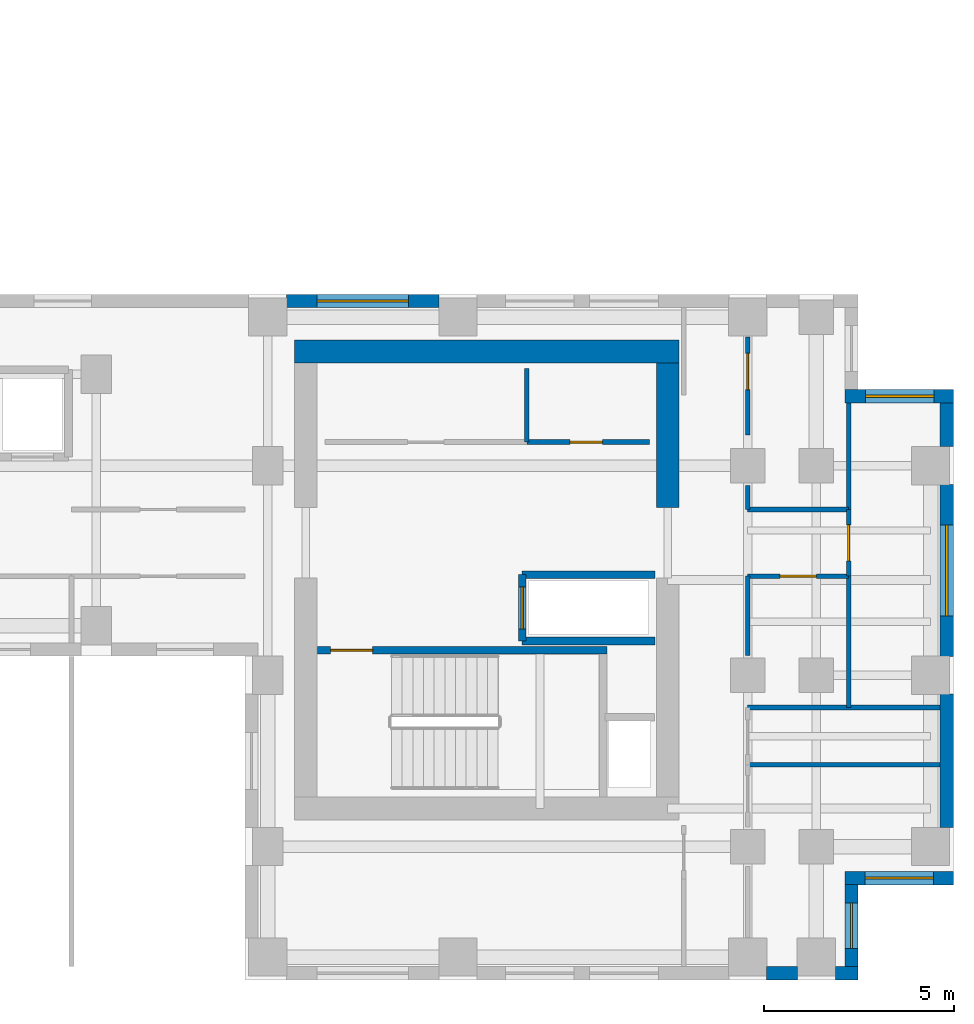
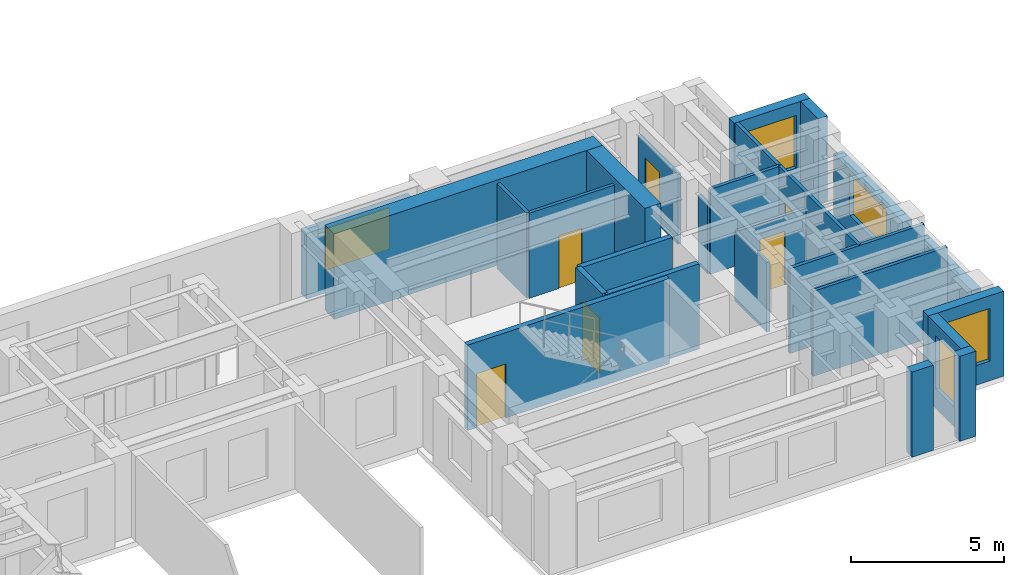
# One storey, part 7 of 11: 27 walls, 6 doors, 5 windows, 11 openings.
"""IFC4 building model written with IfcOpenShell, lengths in metres."""

import ifcopenshell
import ifcopenshell.guid

model = None  # the IFC model being written
_history = None  # IfcOwnerHistory: only IFC2X3 demands one
_inside = {}  # id of a spatial element -> (the spatial element, [elements in it])
_under = {}  # id of a project, library or spatial element -> (it, [spatial elements below it])
_declared = {}  # id of a project -> (the project, [libraries it declares])
_typed = {}  # id of a type object -> (the type object, [elements of that type])
_made_of = {}  # id of a material, layer set ... -> (it, [elements and type objects made of it])


def new_model(schema):
    """Start an empty IFC model of exactly this schema.

    Asked for "IFC4X3", IfcOpenShell would pick the latest addendum, in which some entities
    have other attributes; the version numbers below select the first issue.
    IFC2X3 requires an IfcOwnerHistory on every rooted entity: one is made here for all.
    """
    global model, _history
    if schema == "IFC4X3":
        model = ifcopenshell.file(schema_version=(4, 3, 0, 0))
    else:
        model = ifcopenshell.file(schema=schema)
    _inside.clear()
    _under.clear()
    _declared.clear()
    _typed.clear()
    _made_of.clear()
    _history = None
    if model.schema == "IFC2X3":
        org = make("IfcOrganization", Name="unknown")
        user = make(
            "IfcPersonAndOrganization",
            ThePerson=make("IfcPerson", FamilyName="unknown"),
            TheOrganization=org,
        )
        app = make(
            "IfcApplication",
            ApplicationDeveloper=org,
            Version="unknown",
            ApplicationFullName="unknown",
            ApplicationIdentifier="unknown",
        )
        _history = make(
            "IfcOwnerHistory",
            OwningUser=user,
            OwningApplication=app,
            ChangeAction="ADDED",
            CreationDate=0,
        )
    return model


def make(cls, **values):
    """One entity of the class cls with the attributes given. An attribute that is None is left unset."""
    return model.create_entity(
        cls, **{name: value for name, value in values.items() if value is not None}
    )


def rooted(cls, **values):
    """An entity with a GlobalId (a new one), such as an element, a storey or a relation."""
    return make(cls, GlobalId=ifcopenshell.guid.new(), OwnerHistory=_history, **values)


def si_unit(unit_type, name, prefix=None):
    """IfcSIUnit, for example si_unit("LENGTHUNIT", "METRE", prefix="MILLI")."""
    return make("IfcSIUnit", UnitType=unit_type, Prefix=prefix, Name=name)


def assignment(units):
    """IfcUnitAssignment: the units of a project."""
    return None if units is None else make("IfcUnitAssignment", Units=units)


def point(xyz):
    """IfcCartesianPoint."""
    return None if xyz is None else make("IfcCartesianPoint", Coordinates=xyz)


def direction(xyz):
    """IfcDirection."""
    return None if xyz is None else make("IfcDirection", DirectionRatios=xyz)


def frame(location, z_axis=None, x_axis=None):
    """IfcAxis2Placement3D, a coordinate frame: its origin and axes. An axis left out is left unset."""
    return make(
        "IfcAxis2Placement3D",
        Location=point(location),
        Axis=direction(z_axis),
        RefDirection=direction(x_axis),
    )


def frame_2d(location, x_axis=None):
    """IfcAxis2Placement2D, a coordinate frame in the plane: its origin and x axis."""
    return make(
        "IfcAxis2Placement2D", Location=point(location), RefDirection=direction(x_axis)
    )


def origin():
    """The frame at (0, 0, 0) with its axes left unset."""
    return frame((0.0, 0.0, 0.0))


def place(relative_to, where):
    """IfcLocalPlacement: puts the frame where relative to a parent placement (None: the world)."""
    return make(
        "IfcLocalPlacement", PlacementRelTo=relative_to, RelativePlacement=where
    )


def context(
    kind, dimensions, precision=None, world=None, true_north=None, identifier=None
):
    """IfcGeometricRepresentationContext, for example the 3D "Model" context."""
    return make(
        "IfcGeometricRepresentationContext",
        ContextIdentifier=identifier,
        ContextType=kind,
        CoordinateSpaceDimension=dimensions,
        Precision=precision,
        WorldCoordinateSystem=world,
        TrueNorth=true_north,
    )


def subcontext(parent, identifier, kind, view, scale=None):
    """IfcGeometricRepresentationSubContext, for example "Body" below "Model"."""
    return make(
        "IfcGeometricRepresentationSubContext",
        ContextIdentifier=identifier,
        ContextType=kind,
        ParentContext=parent,
        TargetScale=scale,
        TargetView=view,
    )


def project(units=None, contexts=None):
    """IfcProject with its units and contexts."""
    return rooted(
        "IfcProject",
        Name="project",
        RepresentationContexts=contexts,
        UnitsInContext=assignment(units),
    )


def spatial(cls, under=None, at=None, **own):
    """A site, building, storey or space (cls), placed at a placement, below another one or the project."""
    s = rooted(cls, ObjectPlacement=at, **own)
    if under is not None:
        _under.setdefault(under.id(), (under, []))[1].append(s)
    return s


def profile(cls, at=None, kind="AREA", **sizes):
    """A parametric profile (cls). Its sizes go by their IFC names, for example OverallWidth=200.0."""
    return make(cls, ProfileType=kind, Position=at, **sizes)


def rectangle(**sizes):
    """IfcRectangleProfileDef."""
    return profile("IfcRectangleProfileDef", **sizes)


def extrude(swept, where, along, depth):
    """IfcExtrudedAreaSolid: the profile swept, set in the frame where, extruded along a direction by depth."""
    return make(
        "IfcExtrudedAreaSolid",
        SweptArea=swept,
        Position=where,
        ExtrudedDirection=direction(along),
        Depth=depth,
    )


def shape(context_of_items, identifier, shape_type, items):
    """IfcShapeRepresentation: the items that make up one representation, for example the "Body"."""
    return make(
        "IfcShapeRepresentation",
        ContextOfItems=context_of_items,
        RepresentationIdentifier=identifier,
        RepresentationType=shape_type,
        Items=items,
    )


def source(mapping_origin, context_of_items, identifier, shape_type, items):
    """IfcRepresentationMap: a shape defined once, which mapped items show again and again."""
    return make(
        "IfcRepresentationMap",
        MappingOrigin=mapping_origin,
        MappedRepresentation=shape(context_of_items, identifier, shape_type, items),
    )


def transform(
    local_origin,
    x_axis=None,
    y_axis=None,
    z_axis=None,
    scale=None,
    scale2=None,
    scale3=None,
    uniform=True,
):
    """IfcCartesianTransformationOperator3D, or its non-uniform kind. x_axis, y_axis, z_axis: its Axis1, 2, 3."""
    if uniform:
        return make(
            "IfcCartesianTransformationOperator3D",
            Axis1=direction(x_axis),
            Axis2=direction(y_axis),
            LocalOrigin=point(local_origin),
            Scale=scale,
            Axis3=direction(z_axis),
        )
    return make(
        "IfcCartesianTransformationOperator3DnonUniform",
        Axis1=direction(x_axis),
        Axis2=direction(y_axis),
        LocalOrigin=point(local_origin),
        Scale=scale,
        Axis3=direction(z_axis),
        Scale2=scale2,
        Scale3=scale3,
    )


def mapped(mapping_source, mapping_target):
    """IfcMappedItem: shows the shape of a source again, moved by a transform."""
    return make(
        "IfcMappedItem", MappingSource=mapping_source, MappingTarget=mapping_target
    )


def material(Name=None, Category=None):
    """IfcMaterial."""
    return make("IfcMaterial", Name=Name, Category=Category)


def layer(
    of_material, thickness, ventilated=None, Name=None, Category=None, Priority=None
):
    """IfcMaterialLayer: one layer of a wall or slab, of a material (None: an air gap)."""
    return make(
        "IfcMaterialLayer",
        Material=of_material,
        LayerThickness=thickness,
        IsVentilated=ventilated,
        Name=Name,
        Category=Category,
        Priority=Priority,
    )


def layer_set(layers, Name=None):
    """IfcMaterialLayerSet."""
    return make("IfcMaterialLayerSet", MaterialLayers=layers, LayerSetName=Name)


def made_of(thing, what):
    """Note that an element or type object is made of a material, layer set ...; save() writes the relation."""
    if what is not None:
        _made_of.setdefault(what.id(), (what, []))[1].append(thing)
    return thing


def type_object(cls, material=None, **own):
    """A type object (cls), such as IfcWallType, which elements share."""
    return made_of(rooted(cls, **own), material)


def element(
    cls,
    number,
    at=None,
    inside=None,
    cuts=None,
    type_object=None,
    material=None,
    context=None,
    identifier="Body",
    shape_type=None,
    held_by="IfcProductDefinitionShape",
    body=None,
    shapes=None,
    **own,
):
    """One element of the class cls, such as IfcWall. Its Tag is "e" and its number.

    at: its placement. inside: the storey or other place that contains it. cuts: it is an
    opening in that element (IfcRelVoidsElement). A single representation is given by context,
    identifier, shape_type and body (its items); several are given by shapes. held_by: the class
    of the entity that holds the representations. save() writes the other relations.
    """
    e = rooted(cls, Tag="e%d" % number, ObjectPlacement=at, **own)
    if body is not None:
        shapes = [shape(context, identifier, shape_type, body)]
    if shapes is not None:
        e.Representation = make(held_by, Representations=shapes)
    if inside is not None:
        _inside.setdefault(inside.id(), (inside, []))[1].append(e)
    if cuts is not None:
        rooted(
            "IfcRelVoidsElement", RelatingBuildingElement=cuts, RelatedOpeningElement=e
        )
    if type_object is not None:
        _typed.setdefault(type_object.id(), (type_object, []))[1].append(e)
    return made_of(e, material)


def fill(opening, filler):
    """IfcRelFillsElement: the door or window that sits in an opening."""
    return rooted(
        "IfcRelFillsElement",
        RelatingOpeningElement=opening,
        RelatedBuildingElement=filler,
    )


def aggregate(whole, parts):
    """IfcRelAggregates: a whole, such as a stair, and the parts it consists of."""
    return rooted("IfcRelAggregates", RelatingObject=whole, RelatedObjects=parts)


def save(model, path):
    """Write the relations noted so far, then the file.

    IfcRelAggregates (storeys below a building ...), IfcRelContainedInSpatialStructure (elements
    in a storey), IfcRelDefinesByType, IfcRelAssociatesMaterial and IfcRelDeclares: one each for
    every whole, place, type object, material and project.
    """
    for whole, parts in _under.values():
        aggregate(whole, parts)
    for where, things in _inside.values():
        rooted(
            "IfcRelContainedInSpatialStructure",
            RelatedElements=things,
            RelatingStructure=where,
        )
    for kind, things in _typed.values():
        rooted("IfcRelDefinesByType", RelatedObjects=things, RelatingType=kind)
    for what, things in _made_of.values():
        rooted("IfcRelAssociatesMaterial", RelatedObjects=things, RelatingMaterial=what)
    for by, libraries in _declared.values():
        rooted("IfcRelDeclares", RelatingContext=by, RelatedDefinitions=libraries)
    model.write(path)


model = new_model("IFC4")

# Units and contexts
model_context = context("Model", 3, precision=1e-05, world=origin(), true_north=direction((0.0, 1.0)))
body_context = subcontext(model_context, "Body", "Model", "MODEL_VIEW")
ifc_project = project(units=[si_unit("LENGTHUNIT", "METRE"), si_unit("AREAUNIT", "SQUARE_METRE"), si_unit("VOLUMEUNIT", "CUBIC_METRE"), si_unit("PLANEANGLEUNIT", "RADIAN"), si_unit("MASSUNIT", "GRAM", prefix="KILO")], contexts=[model_context])

# Site, building, storey
site_placement = place(None, origin())
site = spatial("IfcSite", under=ifc_project, at=site_placement, CompositionType="ELEMENT")
building_placement = place(site_placement, origin())
building = spatial("IfcBuilding", under=site, at=building_placement, Name="Kharzan Plaza Tower", CompositionType="ELEMENT")
storey_placement = place(building_placement, frame((0.0, 0.0, 186.300048828125)))
storey = spatial("IfcBuildingStorey", under=building, at=storey_placement, Name="L50", CompositionType="ELEMENT", Elevation=186.300048828125)

# Wall, opening, window
ifc_material_1 = material(Name="Concrete C40/50", Category="concrete")
ifc_layer_1 = layer(ifc_material_1, 0.35009765625)
ifc_layer_set_1 = layer_set([ifc_layer_1], Name="Concrete C40/50")
wall_type_1 = type_object("IfcWallType", Name="WL-EXT-MAS-Z3", PredefinedType="SOLIDWALL", material=ifc_layer_set_1)
wall_1_placement = place(storey_placement, frame((50.324951171875, 0.347900390625, 0.0), z_axis=(0.0, 0.0, 1.0), x_axis=(0.0, 1.0, 0.0)))
wall_1 = element("IfcWall", 1, at=wall_1_placement, inside=storey, type_object=wall_type_1, Name="L50 Masonry-Frame Exterior Wall 35", PredefinedType="SOLIDWALL", context=body_context, shape_type="SweptSolid", body=[
    extrude(rectangle(XDim=2.154052734375, YDim=0.35009765625, at=frame_2d((1.0771484375, 0.0))), origin(), (0.0, 0.0, 1.0), 3.385009765625),
])
opening_1_placement = place(wall_1_placement, frame((0.47705078125, 0.0, 0.780029296875)))
opening_1 = element("IfcOpeningElement", 2, at=opening_1_placement, cuts=wall_1, Name="Opening W3", PredefinedType="OPENING", context=body_context, shape_type="SweptSolid", body=[
    extrude(rectangle(XDim=1.199951171875, YDim=2.10009765625, at=frame_2d((0.60009765625, 1.050048828125))), frame((0.0, 0.18505859375, 0.0), z_axis=(0.0, -1.0, 0.0), x_axis=(1.0, 0.0, 0.0)), (0.0, 0.0, 1.0), 0.3701171875),
])
ifc_material_2 = material(Name="Low-E Double Glazing", Category="glass")
window_type_1 = type_object("IfcWindowType", Name="WN-REC-1200x2100", PartitioningType="SINGLE_PANEL", PredefinedType="WINDOW", material=ifc_material_2)
shared_shape_1 = source(origin(), body_context, "Body", "SweptSolid", [
    extrude(rectangle(XDim=1.199951171875, YDim=2.10009765625, at=frame_2d((0.60009765625, 1.050048828125))), frame((0.0, 0.030029296875, 0.0), z_axis=(0.0, -1.0, 0.0), x_axis=(1.0, 0.0, 0.0)), (0.0, 0.0, 1.0), 0.06005859375),
])
window_1_placement = place(opening_1_placement, origin())
window_1 = element("IfcWindow", 3, at=window_1_placement, inside=storey, type_object=window_type_1, Name="L50 Recessed Solar-Control Window 35-1", OverallHeight=2.10009765625, OverallWidth=1.199951171875, PartitioningType="SINGLE_PANEL", PredefinedType="WINDOW", context=body_context, shape_type="MappedRepresentation", body=[
    mapped(shared_shape_1, transform((0.0, 0.0, 0.0), x_axis=(1.0, 0.0, 0.0), y_axis=(0.0, 1.0, 0.0), z_axis=(0.0, 0.0, 1.0))),
])
fill(opening_1, window_1)

wall_2_placement = place(storey_placement, frame((50.14990234375, 2.675048828125, 0.0), z_axis=(0.0, 0.0, 1.0), x_axis=(1.0, 0.0, 0.0)))
wall_2 = element("IfcWall", 4, at=wall_2_placement, inside=storey, type_object=wall_type_1, Name="L50 Masonry-Frame Exterior Wall 36", PredefinedType="SOLIDWALL", context=body_context, shape_type="SweptSolid", body=[
    extrude(rectangle(XDim=2.85009765625, YDim=0.35009765625, at=frame_2d((1.425048828125, 0.0))), origin(), (0.0, 0.0, 1.0), 3.385009765625),
])
opening_2_placement = place(wall_2_placement, frame((0.52490234375, 0.0, 0.780029296875)))
opening_2 = element("IfcOpeningElement", 5, at=opening_2_placement, cuts=wall_2, Name="Opening W1", PredefinedType="OPENING", context=body_context, shape_type="SweptSolid", body=[
    extrude(rectangle(XDim=1.800048828125, YDim=2.10009765625, at=frame_2d((0.89990234375, 1.050048828125))), frame((0.0, 0.18505859375, 0.0), z_axis=(0.0, -1.0, 0.0), x_axis=(1.0, 0.0, 0.0)), (0.0, 0.0, 1.0), 0.3701171875),
])
window_type_2 = type_object("IfcWindowType", Name="WN-REC-1800x2100", PartitioningType="SINGLE_PANEL", PredefinedType="WINDOW", material=ifc_material_2)
shared_shape_2 = source(origin(), body_context, "Body", "SweptSolid", [
    extrude(rectangle(XDim=1.800048828125, YDim=2.10009765625, at=frame_2d((0.89990234375, 1.050048828125))), frame((0.0, 0.030029296875, 0.0), z_axis=(0.0, -1.0, 0.0), x_axis=(1.0, 0.0, 0.0)), (0.0, 0.0, 1.0), 0.06005859375),
])
window_2_placement = place(opening_2_placement, origin())
window_2 = element("IfcWindow", 6, at=window_2_placement, inside=storey, type_object=window_type_2, Name="L50 Recessed Solar-Control Window 36-1", OverallHeight=2.10009765625, OverallWidth=1.800048828125, PartitioningType="SINGLE_PANEL", PredefinedType="WINDOW", context=body_context, shape_type="MappedRepresentation", body=[
    mapped(shared_shape_2, transform((0.0, 0.0, 0.0), x_axis=(1.0, 0.0, 0.0), y_axis=(0.0, 1.0, 0.0), z_axis=(0.0, 0.0, 1.0))),
])
fill(opening_2, window_2)

wall_3_placement = place(storey_placement, frame((52.824951171875, 8.498046875, 0.0), z_axis=(0.0, 0.0, 1.0), x_axis=(0.0, 1.0, 0.0)))
wall_3 = element("IfcWall", 7, at=wall_3_placement, inside=storey, type_object=wall_type_1, Name="L50 Masonry-Frame Exterior Wall 38", PredefinedType="SOLIDWALL", context=body_context, shape_type="SweptSolid", body=[
    extrude(rectangle(XDim=4.50390625, YDim=0.35009765625, at=frame_2d((2.251953125, 0.0))), origin(), (0.0, 0.0, 1.0), 2.612060546875),
])
opening_3_placement = place(wall_3_placement, frame((1.052001953125, 0.0, 0.780029296875)))
opening_3 = element("IfcOpeningElement", 8, at=opening_3_placement, cuts=wall_3, Name="Opening W2", PredefinedType="OPENING", context=body_context, shape_type="SweptSolid", body=[
    extrude(rectangle(XDim=2.39990234375, YDim=1.652099609375, at=frame_2d((1.199951171875, 0.826171875))), frame((0.0, 0.18505859375, 0.0), z_axis=(0.0, -1.0, 0.0), x_axis=(1.0, 0.0, 0.0)), (0.0, 0.0, 1.0), 0.3701171875),
])
window_type_3 = type_object("IfcWindowType", Name="WN-REC-2400x2100", PartitioningType="SINGLE_PANEL", PredefinedType="WINDOW", material=ifc_material_2)
shared_shape_3 = source(origin(), body_context, "Body", "SweptSolid", [
    extrude(rectangle(XDim=2.39990234375, YDim=1.652099609375, at=frame_2d((1.199951171875, 0.826171875))), frame((0.0, 0.030029296875, 0.0), z_axis=(0.0, -1.0, 0.0), x_axis=(1.0, 0.0, 0.0)), (0.0, 0.0, 1.0), 0.06005859375),
])
window_3_placement = place(opening_3_placement, origin())
window_3 = element("IfcWindow", 9, at=window_3_placement, inside=storey, type_object=window_type_3, Name="L50 Wide Recessed Solar-Control Window 38-1", OverallHeight=1.652099609375, OverallWidth=2.39990234375, PartitioningType="SINGLE_PANEL", PredefinedType="WINDOW", context=body_context, shape_type="MappedRepresentation", body=[
    mapped(shared_shape_3, transform((0.0, 0.0, 0.0), x_axis=(1.0, 0.0, 0.0), y_axis=(0.0, 1.0, 0.0), z_axis=(0.0, 0.0, 1.0))),
])
fill(opening_3, window_3)

wall_4_placement = place(storey_placement, frame((53.0, 15.324951171875, 0.0), z_axis=(0.0, 0.0, 1.0), x_axis=(-1.0, 0.0, 0.0)))
wall_4 = element("IfcWall", 10, at=wall_4_placement, inside=storey, type_object=wall_type_1, Name="L50 Masonry-Frame Exterior Wall 40", PredefinedType="SOLIDWALL", context=body_context, shape_type="SweptSolid", body=[
    extrude(rectangle(XDim=2.85009765625, YDim=0.35009765625, at=frame_2d((1.425048828125, 0.0))), origin(), (0.0, 0.0, 1.0), 3.385009765625),
])
opening_4_placement = place(wall_4_placement, frame((0.510009765625, 0.0, 0.780029296875)))
opening_4 = element("IfcOpeningElement", 11, at=opening_4_placement, cuts=wall_4, Name="Opening W1", PredefinedType="OPENING", context=body_context, shape_type="SweptSolid", body=[
    extrude(rectangle(XDim=1.800048828125, YDim=2.10009765625, at=frame_2d((0.89990234375, 1.050048828125))), frame((0.0, 0.18505859375, 0.0), z_axis=(0.0, -1.0, 0.0), x_axis=(1.0, 0.0, 0.0)), (0.0, 0.0, 1.0), 0.3701171875),
])
window_4_placement = place(opening_4_placement, origin())
window_4 = element("IfcWindow", 12, at=window_4_placement, inside=storey, type_object=window_type_2, Name="L50 Recessed Solar-Control Window 40-1", OverallHeight=2.10009765625, OverallWidth=1.800048828125, PartitioningType="SINGLE_PANEL", PredefinedType="WINDOW", context=body_context, shape_type="MappedRepresentation", body=[
    mapped(shared_shape_2, transform((0.0, 0.0, 0.0), x_axis=(1.0, 0.0, 0.0), y_axis=(0.0, 1.0, 0.0), z_axis=(0.0, 0.0, 1.0))),
])
fill(opening_4, window_4)

wall_5_placement = place(storey_placement, frame((39.501953125, 17.824951171875, 0.0), z_axis=(0.0, 0.0, 1.0), x_axis=(-1.0, 0.0, 0.0)))
wall_5 = element("IfcWall", 13, at=wall_5_placement, inside=storey, type_object=wall_type_1, Name="L50 Masonry-Frame Exterior Wall 45", PredefinedType="SOLIDWALL", context=body_context, shape_type="SweptSolid", body=[
    extrude(rectangle(XDim=4.00390625, YDim=0.35009765625, at=frame_2d((2.001953125, 0.0))), origin(), (0.0, 0.0, 1.0), 2.612060546875),
])
opening_5_placement = place(wall_5_placement, frame((0.802001953125, 0.0, 0.780029296875)))
opening_5 = element("IfcOpeningElement", 14, at=opening_5_placement, cuts=wall_5, Name="Opening W2", PredefinedType="OPENING", context=body_context, shape_type="SweptSolid", body=[
    extrude(rectangle(XDim=2.39990234375, YDim=1.652099609375, at=frame_2d((1.199951171875, 0.826171875))), frame((0.0, 0.18505859375, 0.0), z_axis=(0.0, -1.0, 0.0), x_axis=(1.0, 0.0, 0.0)), (0.0, 0.0, 1.0), 0.3701171875),
])
window_5_placement = place(opening_5_placement, origin())
window_5 = element("IfcWindow", 15, at=window_5_placement, inside=storey, type_object=window_type_3, Name="L50 Wide Recessed Solar-Control Window 45-1", OverallHeight=1.652099609375, OverallWidth=2.39990234375, PartitioningType="SINGLE_PANEL", PredefinedType="WINDOW", context=body_context, shape_type="MappedRepresentation", body=[
    mapped(shared_shape_3, transform((0.0, 0.0, 0.0), x_axis=(1.0, 0.0, 0.0), y_axis=(0.0, 1.0, 0.0), z_axis=(0.0, 0.0, 1.0))),
])
fill(opening_5, window_5)

# Wall, opening, door
ifc_material_3 = material(Name="Fire-Rated Gypsum Board Partition", Category="gypsum")
ifc_layer_2 = layer(ifc_material_3, 0.125)
ifc_layer_set_2 = layer_set([ifc_layer_2], Name="Fire-Rated Gypsum Board Partition")
wall_type_2 = type_object("IfcWallType", Name="WL-INT-PART-125", PredefinedType="PARTITIONING", material=ifc_layer_set_2)
wall_6_placement = place(storey_placement, frame((41.800048828125, 14.1201171875, 0.0), z_axis=(0.0, 0.0, 1.0), x_axis=(1.0, 0.0, 0.0)))
wall_6 = element("IfcWall", 16, at=wall_6_placement, inside=storey, type_object=wall_type_2, Name="L50 Interior Partition CB-RBLSB", PredefinedType="PARTITIONING", context=body_context, shape_type="SweptSolid", body=[
    extrude(rectangle(XDim=3.219970703125, YDim=0.125, at=frame_2d((1.60986328125, 0.0))), origin(), (0.0, 0.0, 1.0), 3.385009765625),
])
opening_6_placement = place(wall_6_placement, frame((1.135009765625, 0.0, 0.0)))
opening_6 = element("IfcOpeningElement", 17, at=opening_6_placement, cuts=wall_6, Name="Opening RD1", PredefinedType="OPENING", context=body_context, shape_type="SweptSolid", body=[
    extrude(rectangle(XDim=0.85009765625, YDim=2.10009765625, at=frame_2d((0.425048828125, 1.050048828125))), frame((0.0, 0.072509765625, 0.0), z_axis=(0.0, -1.0, 0.0), x_axis=(1.0, 0.0, 0.0)), (0.0, 0.0, 1.0), 0.14501953125),
])
ifc_material_4 = material(Name="Powder-Coated Fire-Rated Steel", Category="steel")
door_type_1 = type_object("IfcDoorType", Name="DR-RISER-900", OperationType="NOTDEFINED", PredefinedType="DOOR", material=ifc_material_4)
shared_shape_4 = source(origin(), body_context, "Body", "SweptSolid", [
    extrude(rectangle(XDim=0.85009765625, YDim=2.10009765625, at=frame_2d((0.425048828125, 1.050048828125))), frame((0.0, 0.02490234375, 0.0), z_axis=(0.0, -1.0, 0.0), x_axis=(1.0, 0.0, 0.0)), (0.0, 0.0, 1.0), 0.050048828125),
])
door_1_placement = place(opening_6_placement, origin())
door_1 = element("IfcDoor", 18, at=door_1_placement, inside=storey, type_object=door_type_1, Name="L50 Housekeeping Store Door", OperationType="SINGLE_SWING_RIGHT", OverallHeight=2.10009765625, OverallWidth=0.85009765625, PredefinedType="DOOR", context=body_context, shape_type="MappedRepresentation", body=[
    mapped(shared_shape_4, transform((0.0, 0.0, 0.0), x_axis=(1.0, 0.0, 0.0), y_axis=(0.0, 1.0, 0.0), z_axis=(0.0, 0.0, 1.0))),
])
fill(opening_6, door_1)

wall_7_placement = place(storey_placement, frame((50.25, 10.60009765625, 0.0), z_axis=(0.0, 0.0, 1.0), x_axis=(0.0, 1.0, 0.0)))
wall_7 = element("IfcWall", 19, at=wall_7_placement, inside=storey, type_object=wall_type_2, Name="L50 Interior Partition SH-B2E2", PredefinedType="PARTITIONING", context=body_context, shape_type="SweptSolid", body=[
    extrude(rectangle(XDim=1.75, YDim=0.125, at=frame_2d((0.875, 0.0))), origin(), (0.0, 0.0, 1.0), 3.385009765625),
])
opening_7_placement = place(wall_7_placement, frame((0.39990234375, 0.0, 0.0)))
opening_7 = element("IfcOpeningElement", 20, at=opening_7_placement, cuts=wall_7, Name="Opening OD1", PredefinedType="OPENING", context=body_context, shape_type="SweptSolid", body=[
    extrude(rectangle(XDim=0.949951171875, YDim=2.14990234375, at=frame_2d((0.47509765625, 1.074951171875))), frame((0.0, 0.072509765625, 0.0), z_axis=(0.0, -1.0, 0.0), x_axis=(1.0, 0.0, 0.0)), (0.0, 0.0, 1.0), 0.14501953125),
])
ifc_material_5 = material(Name="Acoustic Solid-Core Stained Oak", Category="timber")
door_type_2 = type_object("IfcDoorType", Name="DR-OFF-SINGLE", OperationType="NOTDEFINED", PredefinedType="DOOR", material=ifc_material_5)
shared_shape_5 = source(origin(), body_context, "Body", "SweptSolid", [
    extrude(rectangle(XDim=0.949951171875, YDim=2.14990234375, at=frame_2d((0.47509765625, 1.074951171875))), frame((0.0, 0.02490234375, 0.0), z_axis=(0.0, -1.0, 0.0), x_axis=(1.0, 0.0, 0.0)), (0.0, 0.0, 1.0), 0.050048828125),
])
door_2_placement = place(opening_7_placement, origin())
door_2 = element("IfcDoor", 21, at=door_2_placement, inside=storey, type_object=door_type_2, Name="L50 East Boardroom Door", OperationType="SINGLE_SWING_RIGHT", OverallHeight=2.14990234375, OverallWidth=0.949951171875, PredefinedType="DOOR", context=body_context, shape_type="MappedRepresentation", body=[
    mapped(shared_shape_5, transform((0.0, 0.0, 0.0), x_axis=(1.0, 0.0, 0.0), y_axis=(0.0, 1.0, 0.0), z_axis=(0.0, 0.0, 1.0))),
])
fill(opening_7, door_2)

wall_8_placement = place(storey_placement, frame((47.60009765625, 10.60009765625, 0.0), z_axis=(0.0, 0.0, 1.0), x_axis=(1.0, 0.0, 0.0)))
wall_8 = element("IfcWall", 22, at=wall_8_placement, inside=storey, type_object=wall_type_2, Name="L50 Interior Partition SH-B2S1", PredefinedType="PARTITIONING", context=body_context, shape_type="SweptSolid", body=[
    extrude(rectangle(XDim=2.64990234375, YDim=0.125, at=frame_2d((1.324951171875, 0.0))), origin(), (0.0, 0.0, 1.0), 2.77294921875),
])
opening_8_placement = place(wall_8_placement, frame((0.85009765625, 0.0, 0.0)))
opening_8 = element("IfcOpeningElement", 23, at=opening_8_placement, cuts=wall_8, Name="Opening OD1", PredefinedType="OPENING", context=body_context, shape_type="SweptSolid", body=[
    extrude(rectangle(XDim=0.949951171875, YDim=2.14990234375, at=frame_2d((0.47509765625, 1.074951171875))), frame((0.0, 0.072509765625, 0.0), z_axis=(0.0, -1.0, 0.0), x_axis=(1.0, 0.0, 0.0)), (0.0, 0.0, 1.0), 0.14501953125),
])
door_3_placement = place(opening_8_placement, origin())
door_3 = element("IfcDoor", 24, at=door_3_placement, inside=storey, type_object=door_type_2, Name="L50 Spur South Office Door", OperationType="SINGLE_SWING_LEFT", OverallHeight=2.14990234375, OverallWidth=0.949951171875, PredefinedType="DOOR", context=body_context, shape_type="MappedRepresentation", body=[
    mapped(shared_shape_5, transform((0.0, 0.0, 0.0), x_axis=(1.0, 0.0, 0.0), y_axis=(0.0, 1.0, 0.0), z_axis=(0.0, 0.0, 1.0))),
])
fill(opening_8, door_3)

wall_9_placement = place(storey_placement, frame((47.60009765625, 14.300048828125, 0.0), z_axis=(0.0, 0.0, 1.0), x_axis=(0.0, 1.0, 0.0)))
wall_9 = element("IfcWall", 25, at=wall_9_placement, inside=storey, type_object=wall_type_2, Name="L50 Interior Partition SH-B2W3D", PredefinedType="PARTITIONING", context=body_context, shape_type="SweptSolid", body=[
    extrude(rectangle(XDim=2.579833984375, YDim=0.125, at=frame_2d((1.2900390625, 0.0))), origin(), (0.0, 0.0, 1.0), 2.77294921875),
])
opening_9_placement = place(wall_9_placement, frame((1.199951171875, 0.0, 0.0)))
opening_9 = element("IfcOpeningElement", 26, at=opening_9_placement, cuts=wall_9, Name="Opening OD1", PredefinedType="OPENING", context=body_context, shape_type="SweptSolid", body=[
    extrude(rectangle(XDim=0.949951171875, YDim=2.14990234375, at=frame_2d((0.47509765625, 1.074951171875))), frame((0.0, 0.072509765625, 0.0), z_axis=(0.0, -1.0, 0.0), x_axis=(1.0, 0.0, 0.0)), (0.0, 0.0, 1.0), 0.14501953125),
])
door_4_placement = place(opening_9_placement, origin())
door_4 = element("IfcDoor", 27, at=door_4_placement, inside=storey, type_object=door_type_2, Name="L50 Spur North Office Door", OperationType="SINGLE_SWING_LEFT", OverallHeight=2.14990234375, OverallWidth=0.949951171875, PredefinedType="DOOR", context=body_context, shape_type="MappedRepresentation", body=[
    mapped(shared_shape_5, transform((0.0, 0.0, 0.0), x_axis=(1.0, 0.0, 0.0), y_axis=(0.0, 1.0, 0.0), z_axis=(0.0, 0.0, 1.0))),
])
fill(opening_9, door_4)

ifc_layer_3 = layer(ifc_material_1, 0.199951171875)
ifc_layer_set_3 = layer_set([ifc_layer_3], Name="Concrete C40/50")
wall_type_3 = type_object("IfcWallType", Name="WL-INT-SHAFT-200", PredefinedType="PARTITIONING", material=ifc_layer_set_3)
wall_10_placement = place(storey_placement, frame((41.679931640625, 8.89990234375, 0.0), z_axis=(0.0, 0.0, 1.0), x_axis=(0.0, 1.0, 0.0)))
wall_10 = element("IfcWall", 28, at=wall_10_placement, inside=storey, type_object=wall_type_3, Name="L50 Interior Partition SHF-SVL-2-W", PredefinedType="PARTITIONING", context=body_context, shape_type="SweptSolid", body=[
    extrude(rectangle(XDim=1.739990234375, YDim=0.199951171875, at=frame_2d((0.8701171875, 0.0))), origin(), (0.0, 0.0, 1.0), 3.385009765625),
])
opening_10_placement = place(wall_10_placement, frame((0.320068359375, 0.0, 0.0)))
opening_10 = element("IfcOpeningElement", 29, at=opening_10_placement, cuts=wall_10, Name="Opening LD", PredefinedType="OPENING", context=body_context, shape_type="SweptSolid", body=[
    extrude(rectangle(XDim=1.10009765625, YDim=2.199951171875, at=frame_2d((0.550048828125, 1.10009765625))), frame((0.0, 0.10986328125, 0.0), z_axis=(0.0, -1.0, 0.0), x_axis=(1.0, 0.0, 0.0)), (0.0, 0.0, 1.0), 0.219970703125),
])
ifc_material_6 = material(Name="Brushed Stainless Steel", Category="steel")
door_type_3 = type_object("IfcDoorType", Name="DR-LIFT-SLIDE", OperationType="SLIDING_TO_LEFT", PredefinedType="DOOR", material=ifc_material_6)
shared_shape_6 = source(origin(), body_context, "Body", "SweptSolid", [
    extrude(rectangle(XDim=1.10009765625, YDim=2.199951171875, at=frame_2d((0.550048828125, 1.10009765625))), frame((0.0, 0.02490234375, 0.0), z_axis=(0.0, -1.0, 0.0), x_axis=(1.0, 0.0, 0.0)), (0.0, 0.0, 1.0), 0.050048828125),
])
door_5_placement = place(opening_10_placement, origin())
door_5 = element("IfcDoor", 30, at=door_5_placement, inside=storey, type_object=door_type_3, Name="L50 Service Lift SVL-2 Sliding Landing Door", OperationType="SLIDING_TO_LEFT", OverallHeight=2.199951171875, OverallWidth=1.10009765625, PredefinedType="DOOR", context=body_context, shape_type="MappedRepresentation", body=[
    mapped(shared_shape_6, transform((0.0, 0.0, 0.0), x_axis=(1.0, 0.0, 0.0), y_axis=(0.0, 1.0, 0.0), z_axis=(0.0, 0.0, 1.0))),
])
fill(opening_10, door_5)

ifc_material_7 = material(Name="Concrete C50/60", Category="concrete")
ifc_layer_4 = layer(ifc_material_7, 0.199951171875)
ifc_layer_set_4 = layer_set([ifc_layer_4], Name="Concrete C50/60")
wall_type_4 = type_object("IfcWallType", Name="WL-SHAFT-RC200", PredefinedType="SHEAR", material=ifc_layer_set_4)
wall_11_placement = place(storey_placement, frame((36.302001953125, 8.655029296875, 0.0), z_axis=(0.0, 0.0, 1.0), x_axis=(1.0, 0.0, 0.0)))
wall_11 = element("IfcWall", 31, at=wall_11_placement, inside=storey, type_object=wall_type_4, Name="L50 Stair ST-3 North RC Shaft Wall", PredefinedType="SHEAR", context=body_context, shape_type="SweptSolid", body=[
    extrude(rectangle(XDim=7.60302734375, YDim=0.199951171875, at=frame_2d((3.801513671875, 0.0))), origin(), (0.0, 0.0, 1.0), 3.39990234375),
])
opening_11_placement = place(wall_11_placement, frame((0.35009765625, 0.0, 0.0)))
opening_11 = element("IfcOpeningElement", 32, at=opening_11_placement, cuts=wall_11, Name="Opening SD1", PredefinedType="OPENING", context=body_context, shape_type="SweptSolid", body=[
    extrude(rectangle(XDim=1.10009765625, YDim=2.14990234375, at=frame_2d((0.550048828125, 1.074951171875))), frame((0.0, 0.10986328125, 0.0), z_axis=(0.0, -1.0, 0.0), x_axis=(1.0, 0.0, 0.0)), (0.0, 0.0, 1.0), 0.219970703125),
])
ifc_material_8 = material(Name="Fire-Rated Hollow Galvanized Steel", Category="steel")
door_type_4 = type_object("IfcDoorType", Name="DR-STAIR-FD120", OperationType="NOTDEFINED", PredefinedType="DOOR", material=ifc_material_8)
shared_shape_7 = source(origin(), body_context, "Body", "SweptSolid", [
    extrude(rectangle(XDim=1.10009765625, YDim=2.14990234375, at=frame_2d((0.550048828125, 1.074951171875))), frame((0.0, 0.02490234375, 0.0), z_axis=(0.0, -1.0, 0.0), x_axis=(1.0, 0.0, 0.0)), (0.0, 0.0, 1.0), 0.050048828125),
])
door_6_placement = place(opening_11_placement, origin())
door_6 = element("IfcDoor", 33, at=door_6_placement, inside=storey, type_object=door_type_4, Name="L50 Stair ST-3 Fire Exit Door", OperationType="SINGLE_SWING_RIGHT", OverallHeight=2.14990234375, OverallWidth=1.10009765625, PredefinedType="DOOR", context=body_context, shape_type="MappedRepresentation", body=[
    mapped(shared_shape_7, transform((0.0, 0.0, 0.0), x_axis=(1.0, 0.0, 0.0), y_axis=(0.0, 1.0, 0.0), z_axis=(0.0, 0.0, 1.0))),
])
fill(opening_11, door_6)

# Walls
ifc_layer_5 = layer(ifc_material_7, 0.60009765625)
ifc_layer_set_5 = layer_set([ifc_layer_5], Name="Concrete C50/60")
wall_type_5 = type_object("IfcWallType", Name="WL-CORE-600", PredefinedType="SHEAR", material=ifc_layer_set_5)
shared_shape_8 = source(origin(), body_context, "Body", "SweptSolid", [
    extrude(rectangle(XDim=3.800048828125, YDim=0.60009765625, at=frame_2d((1.89990234375, 0.0))), origin(), (0.0, 0.0, 1.0), 3.39990234375),
])
wall_12_placement = place(storey_placement, frame((45.5, 12.39990234375, 0.0), z_axis=(0.0, 0.0, 1.0), x_axis=(0.0, 1.0, 0.0)))
element("IfcWall", 34, at=wall_12_placement, inside=storey, type_object=wall_type_5, Name="L50 CORE-B east shear pier 2", PredefinedType="SHEAR", context=body_context, shape_type="MappedRepresentation", body=[
    mapped(shared_shape_8, transform((0.0, 0.0, 0.0), x_axis=(1.0, 0.0, 0.0), y_axis=(0.0, 1.0, 0.0), z_axis=(0.0, 0.0, 1.0))),
])
shared_shape_9 = source(origin(), body_context, "Body", "SweptSolid", [
    extrude(rectangle(XDim=10.10009765625, YDim=0.60009765625, at=frame_2d((5.050048828125, 0.0))), origin(), (0.0, 0.0, 1.0), 3.39990234375),
])
wall_13_placement = place(storey_placement, frame((35.699951171875, 16.5, 0.0), z_axis=(0.0, 0.0, 1.0), x_axis=(1.0, 0.0, 0.0)))
element("IfcWall", 35, at=wall_13_placement, inside=storey, type_object=wall_type_5, Name="L50 CORE-B north RC shear wall", PredefinedType="SHEAR", context=body_context, shape_type="MappedRepresentation", body=[
    mapped(shared_shape_9, transform((0.0, 0.0, 0.0), x_axis=(1.0, 0.0, 0.0), y_axis=(0.0, 1.0, 0.0), z_axis=(0.0, 0.0, 1.0))),
])
shared_shape_10 = source(origin(), body_context, "Body", "SweptSolid", [
    extrude(rectangle(XDim=0.80419921875, YDim=0.35009765625, at=frame_2d((0.402099609375, 0.0))), origin(), (0.0, 0.0, 1.0), 3.385009765625),
])
wall_14_placement = place(storey_placement, frame((48.097900390625, 0.175048828125, 0.0), z_axis=(0.0, 0.0, 1.0), x_axis=(1.0, 0.0, 0.0)))
element("IfcWall", 36, at=wall_14_placement, inside=storey, type_object=wall_type_1, Name="L50 Masonry-Frame Exterior Wall 33", PredefinedType="SOLIDWALL", context=body_context, shape_type="MappedRepresentation", body=[
    mapped(shared_shape_10, transform((0.0, 0.0, 0.0), x_axis=(1.0, 0.0, 0.0), y_axis=(0.0, 1.0, 0.0), z_axis=(0.0, 0.0, 1.0))),
])
shared_shape_11 = source(origin(), body_context, "Body", "SweptSolid", [
    extrude(rectangle(XDim=0.60205078125, YDim=0.35009765625, at=frame_2d((0.301025390625, 0.0))), origin(), (0.0, 0.0, 1.0), 3.385009765625),
])
wall_15_placement = place(storey_placement, frame((49.89794921875, 0.175048828125, 0.0), z_axis=(0.0, 0.0, 1.0), x_axis=(1.0, 0.0, 0.0)))
element("IfcWall", 37, at=wall_15_placement, inside=storey, type_object=wall_type_1, Name="L50 Masonry-Frame Exterior Wall 34", PredefinedType="SOLIDWALL", context=body_context, shape_type="MappedRepresentation", body=[
    mapped(shared_shape_11, transform((0.0, 0.0, 0.0), x_axis=(1.0, 0.0, 0.0), y_axis=(0.0, 1.0, 0.0), z_axis=(0.0, 0.0, 1.0))),
])
shared_shape_12 = source(origin(), body_context, "Body", "SweptSolid", [
    extrude(rectangle(XDim=1.154052734375, YDim=0.35009765625, at=frame_2d((0.5771484375, 0.0))), origin(), (0.0, 0.0, 1.0), 3.385009765625),
])
wall_16_placement = place(storey_placement, frame((52.824951171875, 13.998046875, 0.0), z_axis=(0.0, 0.0, 1.0), x_axis=(0.0, 1.0, 0.0)))
element("IfcWall", 38, at=wall_16_placement, inside=storey, type_object=wall_type_1, Name="L50 Masonry-Frame Exterior Wall 39", PredefinedType="SOLIDWALL", context=body_context, shape_type="MappedRepresentation", body=[
    mapped(shared_shape_12, transform((0.0, 0.0, 0.0), x_axis=(1.0, 0.0, 0.0), y_axis=(0.0, 1.0, 0.0), z_axis=(0.0, 0.0, 1.0))),
])
shared_shape_13 = source(origin(), body_context, "Body", "SweptSolid", [
    extrude(rectangle(XDim=1.929931640625, YDim=0.125, at=frame_2d((0.96484375, 0.0))), origin(), (0.0, 0.0, 1.0), 3.385009765625),
])
wall_17_placement = place(storey_placement, frame((41.800048828125, 14.1201171875, 0.0), z_axis=(0.0, 0.0, 1.0), x_axis=(0.0, 1.0, 0.0)))
element("IfcWall", 39, at=wall_17_placement, inside=storey, type_object=wall_type_2, Name="L50 Interior Partition CB-RBLM2", PredefinedType="PARTITIONING", context=body_context, shape_type="MappedRepresentation", body=[
    mapped(shared_shape_13, transform((0.0, 0.0, 0.0), x_axis=(1.0, 0.0, 0.0), y_axis=(0.0, 1.0, 0.0), z_axis=(0.0, 0.0, 1.0))),
])
shared_shape_14 = source(origin(), body_context, "Body", "SweptSolid", [
    extrude(rectangle(XDim=0.6298828125, YDim=0.125, at=frame_2d((0.31494140625, 0.0))), origin(), (0.0, 0.0, 1.0), 2.77294921875),
])
wall_18_placement = place(storey_placement, frame((47.60009765625, 12.35009765625, 0.0), z_axis=(0.0, 0.0, 1.0), x_axis=(0.0, 1.0, 0.0)))
element("IfcWall", 40, at=wall_18_placement, inside=storey, type_object=wall_type_2, Name="L50 Interior Partition SH-B2W3S", PredefinedType="PARTITIONING", context=body_context, shape_type="MappedRepresentation", body=[
    mapped(shared_shape_14, transform((0.0, 0.0, 0.0), x_axis=(1.0, 0.0, 0.0), y_axis=(0.0, 1.0, 0.0), z_axis=(0.0, 0.0, 1.0))),
])
shared_shape_15 = source(origin(), body_context, "Body", "SweptSolid", [
    extrude(rectangle(XDim=5.0478515625, YDim=0.125, at=frame_2d((2.52392578125, 0.0))), origin(), (0.0, 0.0, 1.0), 3.385009765625),
])
for number, where, z_axis, x_axis, name in (
    (41, (47.60009765625, 5.64990234375, 0.0), (0.0, 0.0, 1.0), (1.0, 0.0, 0.0), "L50 Interior Partition SH-B2H1"),
    (42, (47.60009765625, 7.14990234375, 0.0), (0.0, 0.0, 1.0), (1.0, 0.0, 0.0), "L50 Interior Partition SH-B2H2"),
):
    element("IfcWall", number, at=place(storey_placement, frame(where, z_axis=z_axis, x_axis=x_axis)), inside=storey, type_object=wall_type_2, Name=name, PredefinedType="PARTITIONING", context=body_context, shape_type="MappedRepresentation", body=[
        mapped(shared_shape_15, transform((0.0, 0.0, 0.0), x_axis=(1.0, 0.0, 0.0), y_axis=(0.0, 1.0, 0.0), z_axis=(0.0, 0.0, 1.0))),
    ])
shared_shape_16 = source(origin(), body_context, "Body", "SweptSolid", [
    extrude(rectangle(XDim=3.489990234375, YDim=0.199951171875, at=frame_2d((1.7451171875, 0.0))), origin(), (0.0, 0.0, 1.0), 3.385009765625),
])
for number, where, z_axis, x_axis, name in (
    (43, (41.679931640625, 10.639892578125, 0.0), (0.0, 0.0, 1.0), (1.0, 0.0, 0.0), "L50 Interior Partition SHF-SVL-2-N"),
    (44, (41.679931640625, 8.89990234375, 0.0), (0.0, 0.0, 1.0), (1.0, 0.0, 0.0), "L50 Interior Partition SHF-SVL-2-S"),
):
    element("IfcWall", number, at=place(storey_placement, frame(where, z_axis=z_axis, x_axis=x_axis)), inside=storey, type_object=wall_type_3, Name=name, PredefinedType="PARTITIONING", context=body_context, shape_type="MappedRepresentation", body=[
        mapped(shared_shape_16, transform((0.0, 0.0, 0.0), x_axis=(1.0, 0.0, 0.0), y_axis=(0.0, 1.0, 0.0), z_axis=(0.0, 0.0, 1.0))),
    ])
shared_shape_17 = source(origin(), body_context, "Body", "SweptSolid", [
    extrude(rectangle(XDim=3.50390625, YDim=0.35009765625, at=frame_2d((1.751953125, 0.0))), origin(), (0.0, 0.0, 1.0), 2.612060546875),
])
wall_19_placement = place(storey_placement, frame((52.824951171875, 3.998046875, 0.0), z_axis=(0.0, 0.0, 1.0), x_axis=(0.0, 1.0, 0.0)))
element("IfcWall", 45, at=wall_19_placement, inside=storey, type_object=wall_type_1, Name="L50 Masonry-Frame Exterior Wall 37", PredefinedType="SOLIDWALL", context=body_context, shape_type="MappedRepresentation", body=[
    mapped(shared_shape_17, transform((0.0, 0.0, 0.0), x_axis=(1.0, 0.0, 0.0), y_axis=(0.0, 1.0, 0.0), z_axis=(0.0, 0.0, 1.0))),
])
shared_shape_18 = source(origin(), body_context, "Body", "SweptSolid", [
    extrude(rectangle(XDim=2.64990234375, YDim=0.125, at=frame_2d((1.324951171875, 0.0))), origin(), (0.0, 0.0, 1.0), 3.385009765625),
])
wall_20_placement = place(storey_placement, frame((47.60009765625, 12.35009765625, 0.0), z_axis=(0.0, 0.0, 1.0), x_axis=(1.0, 0.0, 0.0)))
element("IfcWall", 46, at=wall_20_placement, inside=storey, type_object=wall_type_2, Name="L50 Interior Partition SH-B2N3", PredefinedType="PARTITIONING", context=body_context, shape_type="MappedRepresentation", body=[
    mapped(shared_shape_18, transform((0.0, 0.0, 0.0), x_axis=(1.0, 0.0, 0.0), y_axis=(0.0, 1.0, 0.0), z_axis=(0.0, 0.0, 1.0))),
])
shared_shape_19 = source(origin(), body_context, "Body", "SweptSolid", [
    extrude(rectangle(XDim=3.4501953125, YDim=0.125, at=frame_2d((1.72509765625, 0.0))), origin(), (0.0, 0.0, 1.0), 3.385009765625),
])
wall_21_placement = place(storey_placement, frame((50.25, 7.14990234375, 0.0), z_axis=(0.0, 0.0, 1.0), x_axis=(0.0, 1.0, 0.0)))
element("IfcWall", 47, at=wall_21_placement, inside=storey, type_object=wall_type_2, Name="L50 Interior Partition SH-B2V1", PredefinedType="PARTITIONING", context=body_context, shape_type="MappedRepresentation", body=[
    mapped(shared_shape_19, transform((0.0, 0.0, 0.0), x_axis=(1.0, 0.0, 0.0), y_axis=(0.0, 1.0, 0.0), z_axis=(0.0, 0.0, 1.0))),
])
shared_shape_20 = source(origin(), body_context, "Body", "SweptSolid", [
    extrude(rectangle(XDim=2.7978515625, YDim=0.125, at=frame_2d((1.39892578125, 0.0))), origin(), (0.0, 0.0, 1.0), 3.385009765625),
])
wall_22_placement = place(storey_placement, frame((50.25, 12.35009765625, 0.0), z_axis=(0.0, 0.0, 1.0), x_axis=(0.0, 1.0, 0.0)))
element("IfcWall", 48, at=wall_22_placement, inside=storey, type_object=wall_type_2, Name="L50 Interior Partition SH-B2V2", PredefinedType="PARTITIONING", context=body_context, shape_type="MappedRepresentation", body=[
    mapped(shared_shape_20, transform((0.0, 0.0, 0.0), x_axis=(1.0, 0.0, 0.0), y_axis=(0.0, 1.0, 0.0), z_axis=(0.0, 0.0, 1.0))),
])
shared_shape_21 = source(origin(), body_context, "Body", "SweptSolid", [
    extrude(rectangle(XDim=2.080078125, YDim=0.125, at=frame_2d((1.0400390625, 0.0))), origin(), (0.0, 0.0, 1.0), 2.77294921875),
])
wall_23_placement = place(storey_placement, frame((47.60009765625, 8.52001953125, 0.0), z_axis=(0.0, 0.0, 1.0), x_axis=(0.0, 1.0, 0.0)))
element("IfcWall", 49, at=wall_23_placement, inside=storey, type_object=wall_type_2, Name="L50 Interior Partition SH-B2W1C", PredefinedType="PARTITIONING", context=body_context, shape_type="MappedRepresentation", body=[
    mapped(shared_shape_21, transform((0.0, 0.0, 0.0), x_axis=(1.0, 0.0, 0.0), y_axis=(0.0, 1.0, 0.0), z_axis=(0.0, 0.0, 1.0))),
])

save(model, "model.ifc")
